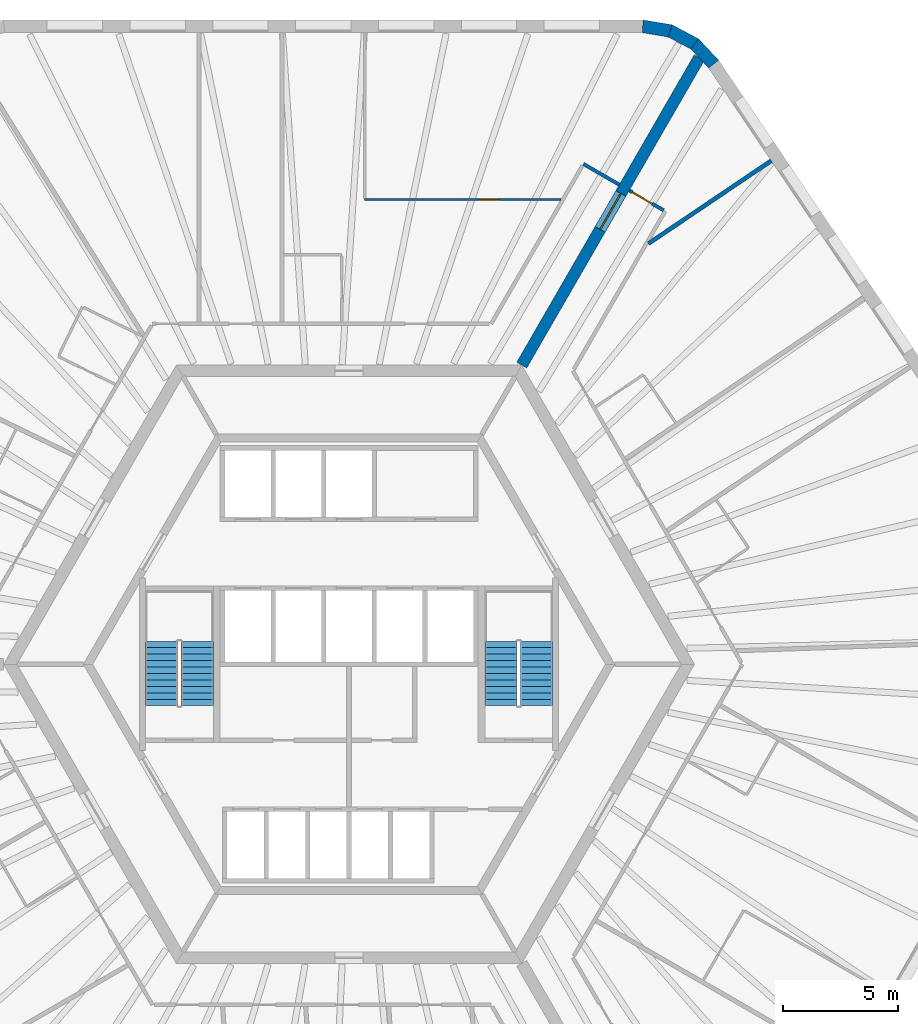
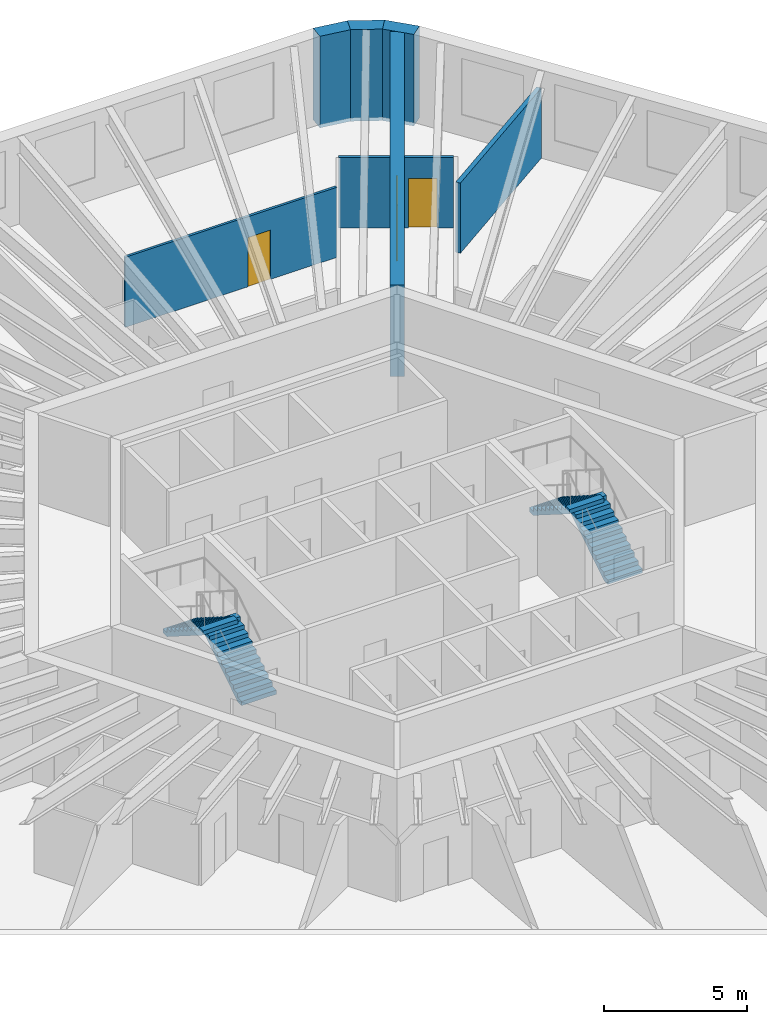
# One storey, part 9 of 10: 8 walls, 4 stair flights, 3 doors, 3 openings, 2 elements without a shape of their own.
"""IFC4 building model written with IfcOpenShell, lengths in metres."""

import ifcopenshell
import ifcopenshell.guid

model = None  # the IFC model being written
_history = None  # IfcOwnerHistory: only IFC2X3 demands one
_inside = {}  # id of a spatial element -> (the spatial element, [elements in it])
_under = {}  # id of a project, library or spatial element -> (it, [spatial elements below it])
_declared = {}  # id of a project -> (the project, [libraries it declares])
_typed = {}  # id of a type object -> (the type object, [elements of that type])
_made_of = {}  # id of a material, layer set ... -> (it, [elements and type objects made of it])


def new_model(schema):
    """Start an empty IFC model of exactly this schema.

    Asked for "IFC4X3", IfcOpenShell would pick the latest addendum, in which some entities
    have other attributes; the version numbers below select the first issue.
    IFC2X3 requires an IfcOwnerHistory on every rooted entity: one is made here for all.
    """
    global model, _history
    if schema == "IFC4X3":
        model = ifcopenshell.file(schema_version=(4, 3, 0, 0))
    else:
        model = ifcopenshell.file(schema=schema)
    _inside.clear()
    _under.clear()
    _declared.clear()
    _typed.clear()
    _made_of.clear()
    _history = None
    if model.schema == "IFC2X3":
        org = make("IfcOrganization", Name="unknown")
        user = make(
            "IfcPersonAndOrganization",
            ThePerson=make("IfcPerson", FamilyName="unknown"),
            TheOrganization=org,
        )
        app = make(
            "IfcApplication",
            ApplicationDeveloper=org,
            Version="unknown",
            ApplicationFullName="unknown",
            ApplicationIdentifier="unknown",
        )
        _history = make(
            "IfcOwnerHistory",
            OwningUser=user,
            OwningApplication=app,
            ChangeAction="ADDED",
            CreationDate=0,
        )
    return model


def make(cls, **values):
    """One entity of the class cls with the attributes given. An attribute that is None is left unset."""
    return model.create_entity(
        cls, **{name: value for name, value in values.items() if value is not None}
    )


def rooted(cls, **values):
    """An entity with a GlobalId (a new one), such as an element, a storey or a relation."""
    return make(cls, GlobalId=ifcopenshell.guid.new(), OwnerHistory=_history, **values)


def si_unit(unit_type, name, prefix=None):
    """IfcSIUnit, for example si_unit("LENGTHUNIT", "METRE", prefix="MILLI")."""
    return make("IfcSIUnit", UnitType=unit_type, Prefix=prefix, Name=name)


def assignment(units):
    """IfcUnitAssignment: the units of a project."""
    return None if units is None else make("IfcUnitAssignment", Units=units)


def point(xyz):
    """IfcCartesianPoint."""
    return None if xyz is None else make("IfcCartesianPoint", Coordinates=xyz)


def direction(xyz):
    """IfcDirection."""
    return None if xyz is None else make("IfcDirection", DirectionRatios=xyz)


def frame(location, z_axis=None, x_axis=None):
    """IfcAxis2Placement3D, a coordinate frame: its origin and axes. An axis left out is left unset."""
    return make(
        "IfcAxis2Placement3D",
        Location=point(location),
        Axis=direction(z_axis),
        RefDirection=direction(x_axis),
    )


def frame_2d(location, x_axis=None):
    """IfcAxis2Placement2D, a coordinate frame in the plane: its origin and x axis."""
    return make(
        "IfcAxis2Placement2D", Location=point(location), RefDirection=direction(x_axis)
    )


def origin():
    """The frame at (0, 0, 0) with its axes left unset."""
    return frame((0.0, 0.0, 0.0))


def place(relative_to, where):
    """IfcLocalPlacement: puts the frame where relative to a parent placement (None: the world)."""
    return make(
        "IfcLocalPlacement", PlacementRelTo=relative_to, RelativePlacement=where
    )


def context(
    kind, dimensions, precision=None, world=None, true_north=None, identifier=None
):
    """IfcGeometricRepresentationContext, for example the 3D "Model" context."""
    return make(
        "IfcGeometricRepresentationContext",
        ContextIdentifier=identifier,
        ContextType=kind,
        CoordinateSpaceDimension=dimensions,
        Precision=precision,
        WorldCoordinateSystem=world,
        TrueNorth=true_north,
    )


def subcontext(parent, identifier, kind, view, scale=None):
    """IfcGeometricRepresentationSubContext, for example "Body" below "Model"."""
    return make(
        "IfcGeometricRepresentationSubContext",
        ContextIdentifier=identifier,
        ContextType=kind,
        ParentContext=parent,
        TargetScale=scale,
        TargetView=view,
    )


def project(units=None, contexts=None):
    """IfcProject with its units and contexts."""
    return rooted(
        "IfcProject",
        Name="project",
        RepresentationContexts=contexts,
        UnitsInContext=assignment(units),
    )


def spatial(cls, under=None, at=None, **own):
    """A site, building, storey or space (cls), placed at a placement, below another one or the project."""
    s = rooted(cls, ObjectPlacement=at, **own)
    if under is not None:
        _under.setdefault(under.id(), (under, []))[1].append(s)
    return s


def polyline(points):
    """IfcPolyline through the points."""
    return make("IfcPolyline", Points=[point(p) for p in points])


def profile(cls, at=None, kind="AREA", **sizes):
    """A parametric profile (cls). Its sizes go by their IFC names, for example OverallWidth=200.0."""
    return make(cls, ProfileType=kind, Position=at, **sizes)


def rectangle(**sizes):
    """IfcRectangleProfileDef."""
    return profile("IfcRectangleProfileDef", **sizes)


def outline(outer, holes=None, kind="AREA"):
    """IfcArbitraryClosedProfileDef: a profile drawn as a closed curve; with holes, ...WithVoids."""
    if holes is None:
        return make("IfcArbitraryClosedProfileDef", ProfileType=kind, OuterCurve=outer)
    return make(
        "IfcArbitraryProfileDefWithVoids",
        ProfileType=kind,
        OuterCurve=outer,
        InnerCurves=holes,
    )


def extrude(swept, where, along, depth):
    """IfcExtrudedAreaSolid: the profile swept, set in the frame where, extruded along a direction by depth."""
    return make(
        "IfcExtrudedAreaSolid",
        SweptArea=swept,
        Position=where,
        ExtrudedDirection=direction(along),
        Depth=depth,
    )


def shape(context_of_items, identifier, shape_type, items):
    """IfcShapeRepresentation: the items that make up one representation, for example the "Body"."""
    return make(
        "IfcShapeRepresentation",
        ContextOfItems=context_of_items,
        RepresentationIdentifier=identifier,
        RepresentationType=shape_type,
        Items=items,
    )


def material(Name=None, Category=None):
    """IfcMaterial."""
    return make("IfcMaterial", Name=Name, Category=Category)


def layer(
    of_material, thickness, ventilated=None, Name=None, Category=None, Priority=None
):
    """IfcMaterialLayer: one layer of a wall or slab, of a material (None: an air gap)."""
    return make(
        "IfcMaterialLayer",
        Material=of_material,
        LayerThickness=thickness,
        IsVentilated=ventilated,
        Name=Name,
        Category=Category,
        Priority=Priority,
    )


def layer_set(layers, Name=None):
    """IfcMaterialLayerSet."""
    return make("IfcMaterialLayerSet", MaterialLayers=layers, LayerSetName=Name)


def made_of(thing, what):
    """Note that an element or type object is made of a material, layer set ...; save() writes the relation."""
    if what is not None:
        _made_of.setdefault(what.id(), (what, []))[1].append(thing)
    return thing


def type_object(cls, material=None, **own):
    """A type object (cls), such as IfcWallType, which elements share."""
    return made_of(rooted(cls, **own), material)


def element(
    cls,
    number,
    at=None,
    inside=None,
    cuts=None,
    type_object=None,
    material=None,
    context=None,
    identifier="Body",
    shape_type=None,
    held_by="IfcProductDefinitionShape",
    body=None,
    shapes=None,
    **own,
):
    """One element of the class cls, such as IfcWall. Its Tag is "e" and its number.

    at: its placement. inside: the storey or other place that contains it. cuts: it is an
    opening in that element (IfcRelVoidsElement). A single representation is given by context,
    identifier, shape_type and body (its items); several are given by shapes. held_by: the class
    of the entity that holds the representations. save() writes the other relations.
    """
    e = rooted(cls, Tag="e%d" % number, ObjectPlacement=at, **own)
    if body is not None:
        shapes = [shape(context, identifier, shape_type, body)]
    if shapes is not None:
        e.Representation = make(held_by, Representations=shapes)
    if inside is not None:
        _inside.setdefault(inside.id(), (inside, []))[1].append(e)
    if cuts is not None:
        rooted(
            "IfcRelVoidsElement", RelatingBuildingElement=cuts, RelatedOpeningElement=e
        )
    if type_object is not None:
        _typed.setdefault(type_object.id(), (type_object, []))[1].append(e)
    return made_of(e, material)


def fill(opening, filler):
    """IfcRelFillsElement: the door or window that sits in an opening."""
    return rooted(
        "IfcRelFillsElement",
        RelatingOpeningElement=opening,
        RelatedBuildingElement=filler,
    )


def aggregate(whole, parts):
    """IfcRelAggregates: a whole, such as a stair, and the parts it consists of."""
    return rooted("IfcRelAggregates", RelatingObject=whole, RelatedObjects=parts)


def save(model, path):
    """Write the relations noted so far, then the file.

    IfcRelAggregates (storeys below a building ...), IfcRelContainedInSpatialStructure (elements
    in a storey), IfcRelDefinesByType, IfcRelAssociatesMaterial and IfcRelDeclares: one each for
    every whole, place, type object, material and project.
    """
    for whole, parts in _under.values():
        aggregate(whole, parts)
    for where, things in _inside.values():
        rooted(
            "IfcRelContainedInSpatialStructure",
            RelatedElements=things,
            RelatingStructure=where,
        )
    for kind, things in _typed.values():
        rooted("IfcRelDefinesByType", RelatedObjects=things, RelatingType=kind)
    for what, things in _made_of.values():
        rooted("IfcRelAssociatesMaterial", RelatedObjects=things, RelatingMaterial=what)
    for by, libraries in _declared.values():
        rooted("IfcRelDeclares", RelatingContext=by, RelatedDefinitions=libraries)
    model.write(path)


model = new_model("IFC4")

# Units and contexts
model_context = context("Model", 3, precision=1e-05, world=origin(), true_north=direction((0.0, 1.0)))
body_context = subcontext(model_context, "Body", "Model", "MODEL_VIEW")
ifc_project = project(units=[si_unit("LENGTHUNIT", "METRE"), si_unit("AREAUNIT", "SQUARE_METRE"), si_unit("VOLUMEUNIT", "CUBIC_METRE"), si_unit("PLANEANGLEUNIT", "RADIAN"), si_unit("MASSUNIT", "GRAM", prefix="KILO")], contexts=[model_context])

# Site, building, storey
site_placement = place(None, origin())
site = spatial("IfcSite", under=ifc_project, at=site_placement, CompositionType="ELEMENT")
building_placement = place(site_placement, origin())
building = spatial("IfcBuilding", under=site, at=building_placement, Name="Tarnside Tower", CompositionType="ELEMENT")
storey_placement = place(building_placement, frame((0.0, 0.0, 234.60009765625)))
storey = spatial("IfcBuildingStorey", under=building, at=storey_placement, Name="L56", CompositionType="ELEMENT", Elevation=234.60009765625)

# Wall, opening, door
ifc_material_1 = material(Name="Concrete C70/85", Category="concrete")
ifc_layer_1 = layer(ifc_material_1, 0.5)
ifc_layer_set_1 = layer_set([ifc_layer_1], Name="Core wall Z2 500 C70/85")
wall_type_1 = type_object("IfcWallType", Name="Core wall Z2 500 C70/85", PredefinedType="SHEAR", material=ifc_layer_set_1)
wall_1_placement = place(storey_placement, frame((7.505615234375, 13.0, -0.150146484375), z_axis=(0.0, 0.0, 1.0), x_axis=(0.499988271576, 0.866032175087, 0.0)))
wall_1 = element("IfcWall", 1, at=wall_1_placement, inside=storey, type_object=wall_type_1, Name="L56 spine wall 1", PredefinedType="SHEAR", context=body_context, shape_type="SweptSolid", body=[
    extrude(rectangle(XDim=15.423583984375, YDim=0.5, at=frame_2d((7.7119140625, 0.0))), origin(), (0.0, 0.0, 1.0), 3.900146484375),
])
opening_1_placement = place(wall_1_placement, frame((6.811767578125, 0.0, 0.14990234375)))
opening_1 = element("IfcOpeningElement", 2, at=opening_1_placement, cuts=wall_1, Name="Opening CD-SPN", PredefinedType="OPENING", context=body_context, shape_type="SweptSolid", body=[
    extrude(rectangle(XDim=1.800048828125, YDim=2.39990234375, at=frame_2d((0.89990234375, 1.199951171875))), frame((0.0, 0.260009765625, 0.0), z_axis=(0.0, -1.0, 0.0), x_axis=(1.0, 0.0, 0.0)), (0.0, 0.0, 1.0), 0.52001953125),
])
ifc_material_2 = material(Name="Steel fire door", Category="steel")
door_type_1 = type_object("IfcDoorType", Name="Spine passage double door FD60 1800x2400", OperationType="NOTDEFINED", PredefinedType="DOOR", material=ifc_material_2)
door_1_placement = place(opening_1_placement, origin())
door_1 = element("IfcDoor", 3, at=door_1_placement, inside=storey, type_object=door_type_1, Name="L56 spine passage door 1", OperationType="DOUBLE_DOOR_SINGLE_SWING", OverallHeight=2.39990234375, OverallWidth=1.800048828125, PredefinedType="DOOR", context=body_context, shape_type="SweptSolid", body=[
    extrude(rectangle(XDim=1.800048828125, YDim=2.39990234375, at=frame_2d((0.89990234375, 1.199951171875))), frame((0.0, 0.02490234375, 0.0), z_axis=(0.0, -1.0, 0.0), x_axis=(1.0, 0.0, 0.0)), (0.0, 0.0, 1.0), 0.050048828125),
])
fill(opening_1, door_1)

# Wall
ifc_material_3 = material(Name="Gypsum board partition on steel studs", Category="steel")
ifc_layer_2 = layer(ifc_material_3, 0.14990234375)
ifc_layer_set_2 = layer_set([ifc_layer_2], Name="Corridor wall 150 EI 60")
wall_type_2 = type_object("IfcWallType", Name="Corridor wall 150 EI 60", PredefinedType="PARTITIONING", material=ifc_layer_set_2)
wall_2_placement = place(storey_placement, frame((11.744873046875, 20.8427734375, 0.0), z_axis=(0.0, 0.0, 1.0), x_axis=(-0.865989075817, 0.500062916607, 0.0)))
element("IfcWall", 4, at=wall_2_placement, inside=storey, type_object=wall_type_2, Name="Corridor wall 18004", PredefinedType="PARTITIONING", context=body_context, shape_type="SweptSolid", body=[
    extrude(rectangle(XDim=1.800048828125, YDim=0.14990234375, at=frame_2d((0.89990234375, 0.0))), origin(), (0.0, 0.0, 1.0), 2.98779296875),
])

# Wall, opening, door
wall_3_placement = place(storey_placement, frame((13.671875, 19.73046875, 0.0), z_axis=(0.0, 0.0, 1.0), x_axis=(-0.866074815912, 0.499914405916, 0.0)))
wall_3 = element("IfcWall", 5, at=wall_3_placement, inside=storey, type_object=wall_type_2, Name="Corridor wall 18050", PredefinedType="PARTITIONING", context=body_context, shape_type="SweptSolid", body=[
    extrude(rectangle(XDim=1.724853515625, YDim=0.14990234375, at=frame_2d((0.8623046875, 0.0))), origin(), (0.0, 0.0, 1.0), 2.98779296875),
])
opening_2_placement = place(wall_3_placement, frame((0.574951171875, 0.0, 0.0)))
opening_2 = element("IfcOpeningElement", 6, at=opening_2_placement, cuts=wall_3, Name="Opening D-E1", PredefinedType="OPENING", context=body_context, shape_type="SweptSolid", body=[
    extrude(rectangle(XDim=1.0, YDim=2.10009765625, at=frame_2d((0.5, 1.050048828125))), frame((0.0, 0.0849609375, 0.0), z_axis=(0.0, -1.0, 0.0), x_axis=(1.0, 0.0, 0.0)), (0.0, 0.0, 1.0), 0.169921875),
])
ifc_material_4 = material(Name="Timber door leaf", Category="wood")
door_type_2 = type_object("IfcDoorType", Name="Unit entrance door 1000 FD30S", OperationType="NOTDEFINED", PredefinedType="DOOR", material=ifc_material_4)
door_2_placement = place(opening_2_placement, origin())
door_2 = element("IfcDoor", 7, at=door_2_placement, inside=storey, type_object=door_type_2, Name="Unit door 18035", OperationType="SINGLE_SWING_LEFT", OverallHeight=2.10009765625, OverallWidth=1.0, PredefinedType="DOOR", context=body_context, shape_type="SweptSolid", body=[
    extrude(rectangle(XDim=1.0, YDim=2.10009765625, at=frame_2d((0.5, 1.050048828125))), frame((0.0, 0.02490234375, 0.0), z_axis=(0.0, -1.0, 0.0), x_axis=(1.0, 0.0, 0.0)), (0.0, 0.0, 1.0), 0.050048828125),
])
fill(opening_2, door_2)

# Wall
ifc_layer_3 = layer(ifc_material_3, 0.179931640625)
ifc_layer_set_3 = layer_set([ifc_layer_3], Name="Demising wall 180 EI 60")
wall_type_3 = type_object("IfcWallType", Name="Demising wall 180 EI 60", PredefinedType="PARTITIONING", material=ifc_layer_set_3)
wall_4_placement = place(storey_placement, frame((18.349609375, 21.88427734375, 0.0), z_axis=(0.0, 0.0, 1.0), x_axis=(-0.829047205772, -0.559178621374, 0.0)))
element("IfcWall", 8, at=wall_4_placement, inside=storey, type_object=wall_type_3, Name="Demising wall 18107", PredefinedType="PARTITIONING", context=body_context, shape_type="SweptSolid", body=[
    extrude(rectangle(XDim=6.442138671875, YDim=0.179931640625, at=frame_2d((3.22119140625, 0.0))), origin(), (0.0, 0.0, 1.0), 2.98779296875),
])

# Wall, opening, door
ifc_layer_4 = layer(ifc_material_3, 0.10009765625)
ifc_layer_set_4 = layer_set([ifc_layer_4], Name="Partition 100")
wall_type_4 = type_object("IfcWallType", Name="Partition 100", PredefinedType="PARTITIONING", material=ifc_layer_set_4)
wall_5_placement = place(storey_placement, frame((9.208740234375, 20.199951171875, 0.0), z_axis=(0.0, 0.0, 1.0), x_axis=(-1.0, 0.0, 0.0)))
wall_5 = element("IfcWall", 9, at=wall_5_placement, inside=storey, type_object=wall_type_4, Name="Partition wall 18053", PredefinedType="PARTITIONING", context=body_context, shape_type="SweptSolid", body=[
    extrude(rectangle(XDim=8.526611328125, YDim=0.10009765625, at=frame_2d((4.26318359375, 0.0))), origin(), (0.0, 0.0, 1.0), 2.98779296875),
])
opening_3_placement = place(wall_5_placement, frame((2.676513671875, 0.0, 0.0)))
opening_3 = element("IfcOpeningElement", 10, at=opening_3_placement, cuts=wall_5, Name="Opening D-I1", PredefinedType="OPENING", context=body_context, shape_type="SweptSolid", body=[
    extrude(rectangle(XDim=0.89990234375, YDim=2.10009765625, at=frame_2d((0.449951171875, 1.050048828125))), frame((0.0, 0.06005859375, 0.0), z_axis=(0.0, -1.0, 0.0), x_axis=(1.0, 0.0, 0.0)), (0.0, 0.0, 1.0), 0.1201171875),
])
door_type_3 = type_object("IfcDoorType", Name="Internal door 900", OperationType="NOTDEFINED", PredefinedType="DOOR", material=ifc_material_4)
door_3_placement = place(opening_3_placement, origin())
door_3 = element("IfcDoor", 11, at=door_3_placement, inside=storey, type_object=door_type_3, Name="Internal door 18003", OperationType="SINGLE_SWING_RIGHT", OverallHeight=2.10009765625, OverallWidth=0.89990234375, PredefinedType="DOOR", context=body_context, shape_type="SweptSolid", body=[
    extrude(rectangle(XDim=0.89990234375, YDim=2.10009765625, at=frame_2d((0.449951171875, 1.050048828125))), frame((0.0, 0.02490234375, 0.0), z_axis=(0.0, -1.0, 0.0), x_axis=(1.0, 0.0, 0.0)), (0.0, 0.0, 1.0), 0.050048828125),
])
fill(opening_3, door_3)

# Walls
ifc_material_5 = material(Name="Facing brick", Category="masonry")
ifc_layer_5 = layer(ifc_material_5, 0.10205078125)
ifc_material_6 = material(Name="Concrete C60/75 precast", Category="concrete")
ifc_layer_6 = layer(ifc_material_6, 0.347900390625)
ifc_material_7 = material(Name="Mineral wool insulation")
ifc_layer_7 = layer(ifc_material_7, 0.10009765625)
ifc_layer_set_5 = layer_set([ifc_layer_5, ifc_layer_6, ifc_layer_7], Name="Tube wall 550 brick faced")
wall_type_5 = type_object("IfcWallType", Name="Tube wall 550 brick faced", PredefinedType="SOLIDWALL", material=ifc_layer_set_5)
wall_6_placement = place(storey_placement, frame((15.84912109375, 26.0830078125, -0.150146484375), z_axis=(0.0, 0.0, 1.0), x_axis=(-0.686196220404, 0.727416488061, 0.0)))
element("IfcWall", 12, at=wall_6_placement, inside=storey, type_object=wall_type_5, Name="Tube wall L56 F6 chord 21", PredefinedType="SOLIDWALL", context=body_context, shape_type="SweptSolid", body=[
    extrude(outline(polyline([(-0.0224609375, -0.27490234375), (1.25341796875, -0.27490234375), (1.1630859375, 0.27490234375), (0.0224609375, 0.27490234375), (-0.0224609375, -0.27490234375)])), origin(), (0.0, 0.0, 1.0), 3.900146484375),
])
wall_7_placement = place(storey_placement, frame((15.02001953125, 26.9619140625, -0.150146484375), z_axis=(0.0, 0.0, 1.0), x_axis=(-0.882950818639, 0.469465495926, 0.0)))
element("IfcWall", 13, at=wall_7_placement, inside=storey, type_object=wall_type_5, Name="Tube wall L56 F6 chord 22", PredefinedType="SOLIDWALL", context=body_context, shape_type="SweptSolid", body=[
    extrude(outline(polyline([(-0.045166015625, -0.27490234375), (1.253173828125, -0.27490234375), (1.162841796875, 0.27490234375), (0.045166015625, 0.27490234375), (-0.045166015625, -0.27490234375)])), origin(), (0.0, 0.0, 1.0), 3.900146484375),
])
wall_8_placement = place(storey_placement, frame((13.953369140625, 27.529052734375, -0.150146484375), z_axis=(0.0, 0.0, 1.0), x_axis=(-0.986751945211, 0.162236243244, 0.0)))
element("IfcWall", 14, at=wall_8_placement, inside=storey, type_object=wall_type_5, Name="Tube wall L56 F6 chord 23", PredefinedType="SOLIDWALL", context=body_context, shape_type="SweptSolid", body=[
    extrude(outline(polyline([(-0.045166015625, -0.27490234375), (1.23095703125, -0.27490234375), (1.18603515625, 0.27490234375), (0.045166015625, 0.27490234375), (-0.045166015625, -0.27490234375)])), origin(), (0.0, 0.0, 1.0), 3.900146484375),
])

# Stair, stair flights
ifc_material_8 = material(Name="Concrete C40/50", Category="concrete")
stair_type = type_object("IfcStairType", Name="Exit stair 1400 clear", PredefinedType="HALF_TURN_STAIR", material=ifc_material_8)
stair_1_placement = place(storey_placement, origin())
stair_1 = element("IfcStair", 15, at=stair_1_placement, inside=storey, type_object=stair_type, Name="L56 Exit stair 1", PredefinedType="HALF_TURN_STAIR")
stair_flight_type = type_object("IfcStairFlightType", Name="Exit stair flight 1400", PredefinedType="STRAIGHT", material=ifc_material_8)
stair_flight_1_placement = place(storey_placement, frame((8.14990234375, -1.800048828125, 0.0), z_axis=(0.0, 0.0, 1.0), x_axis=(0.0, 1.0, 0.0)))
stair_flight_1 = element("IfcStairFlight", 16, at=stair_flight_1_placement, type_object=stair_flight_type, Name="ST1 flight 1", NumberOfRisers=11, NumberOfTreads=10, PredefinedType="STRAIGHT", RiserHeight=0.177272727, TreadLength=0.28, context=body_context, shape_type="SweptSolid", body=[
    extrude(outline(polyline([(0.0, 0.0), (0.0, 0.17724609375), (0.280029296875, 0.17724609375), (0.280029296875, 0.3544921875), (0.56005859375, 0.3544921875), (0.56005859375, 0.53173828125), (0.840087890625, 0.53173828125), (0.840087890625, 0.708984375), (1.1201171875, 0.708984375), (1.1201171875, 0.886474609375), (1.39990234375, 0.886474609375), (1.39990234375, 1.063720703125), (1.679931640625, 1.063720703125), (1.679931640625, 1.240966796875), (1.9599609375, 1.240966796875), (1.9599609375, 1.418212890625), (2.239990234375, 1.418212890625), (2.239990234375, 1.595458984375), (2.52001953125, 1.595458984375), (2.52001953125, 1.772705078125), (2.800048828125, 1.772705078125), (2.800048828125, 1.949951171875), (2.800048828125, 1.59521484375), (0.2802734375, 0.0), (0.0, 0.0)])), frame((0.0, 0.699951171875, 0.0), z_axis=(0.0, -1.0, 0.0), x_axis=(1.0, 0.0, 0.0)), (0.0, 0.0, 1.0), 1.39990234375),
])
stair_flight_2_placement = place(storey_placement, frame((6.60009765625, 1.0, 1.949951171875), z_axis=(0.0, 0.0, 1.0), x_axis=(0.0, -1.0, 0.0)))
stair_flight_2 = element("IfcStairFlight", 17, at=stair_flight_2_placement, type_object=stair_flight_type, Name="ST1 flight 2", NumberOfRisers=11, NumberOfTreads=10, PredefinedType="STRAIGHT", RiserHeight=0.177272727, TreadLength=0.28, context=body_context, shape_type="SweptSolid", body=[
    extrude(outline(polyline([(0.0, 0.0), (0.0, 0.17724609375), (0.280029296875, 0.17724609375), (0.280029296875, 0.3544921875), (0.56005859375, 0.3544921875), (0.56005859375, 0.53173828125), (0.840087890625, 0.53173828125), (0.840087890625, 0.708984375), (1.1201171875, 0.708984375), (1.1201171875, 0.886474609375), (1.39990234375, 0.886474609375), (1.39990234375, 1.063720703125), (1.679931640625, 1.063720703125), (1.679931640625, 1.240966796875), (1.9599609375, 1.240966796875), (1.9599609375, 1.418212890625), (2.239990234375, 1.418212890625), (2.239990234375, 1.595458984375), (2.52001953125, 1.595458984375), (2.52001953125, 1.772705078125), (2.800048828125, 1.772705078125), (2.800048828125, 1.949951171875), (2.800048828125, 1.59521484375), (0.2802734375, 0.0), (0.0, 0.0)])), frame((0.0, 0.699951171875, 0.0), z_axis=(0.0, -1.0, 0.0), x_axis=(1.0, 0.0, 0.0)), (0.0, 0.0, 1.0), 1.39990234375),
])
aggregate(stair_1, [stair_flight_1, stair_flight_2])

stair_2_placement = place(storey_placement, origin())
stair_2 = element("IfcStair", 18, at=stair_2_placement, inside=storey, type_object=stair_type, Name="L56 Exit stair 2", PredefinedType="HALF_TURN_STAIR")
stair_flight_3_placement = place(storey_placement, frame((-6.60009765625, -1.800048828125, 0.0), z_axis=(0.0, 0.0, 1.0), x_axis=(0.0, 1.0, 0.0)))
stair_flight_3 = element("IfcStairFlight", 19, at=stair_flight_3_placement, type_object=stair_flight_type, Name="ST2 flight 1", NumberOfRisers=11, NumberOfTreads=10, PredefinedType="STRAIGHT", RiserHeight=0.177272727, TreadLength=0.28, context=body_context, shape_type="SweptSolid", body=[
    extrude(outline(polyline([(0.0, 0.0), (0.0, 0.17724609375), (0.280029296875, 0.17724609375), (0.280029296875, 0.3544921875), (0.56005859375, 0.3544921875), (0.56005859375, 0.53173828125), (0.840087890625, 0.53173828125), (0.840087890625, 0.708984375), (1.1201171875, 0.708984375), (1.1201171875, 0.886474609375), (1.39990234375, 0.886474609375), (1.39990234375, 1.063720703125), (1.679931640625, 1.063720703125), (1.679931640625, 1.240966796875), (1.9599609375, 1.240966796875), (1.9599609375, 1.418212890625), (2.239990234375, 1.418212890625), (2.239990234375, 1.595458984375), (2.52001953125, 1.595458984375), (2.52001953125, 1.772705078125), (2.800048828125, 1.772705078125), (2.800048828125, 1.949951171875), (2.800048828125, 1.59521484375), (0.2802734375, 0.0), (0.0, 0.0)])), frame((0.0, 0.699951171875, 0.0), z_axis=(0.0, -1.0, 0.0), x_axis=(1.0, 0.0, 0.0)), (0.0, 0.0, 1.0), 1.39990234375),
])
stair_flight_4_placement = place(storey_placement, frame((-8.14990234375, 1.0, 1.949951171875), z_axis=(0.0, 0.0, 1.0), x_axis=(0.0, -1.0, 0.0)))
stair_flight_4 = element("IfcStairFlight", 20, at=stair_flight_4_placement, type_object=stair_flight_type, Name="ST2 flight 2", NumberOfRisers=11, NumberOfTreads=10, PredefinedType="STRAIGHT", RiserHeight=0.177272727, TreadLength=0.28, context=body_context, shape_type="SweptSolid", body=[
    extrude(outline(polyline([(0.0, 0.0), (0.0, 0.17724609375), (0.280029296875, 0.17724609375), (0.280029296875, 0.3544921875), (0.56005859375, 0.3544921875), (0.56005859375, 0.53173828125), (0.840087890625, 0.53173828125), (0.840087890625, 0.708984375), (1.1201171875, 0.708984375), (1.1201171875, 0.886474609375), (1.39990234375, 0.886474609375), (1.39990234375, 1.063720703125), (1.679931640625, 1.063720703125), (1.679931640625, 1.240966796875), (1.9599609375, 1.240966796875), (1.9599609375, 1.418212890625), (2.239990234375, 1.418212890625), (2.239990234375, 1.595458984375), (2.52001953125, 1.595458984375), (2.52001953125, 1.772705078125), (2.800048828125, 1.772705078125), (2.800048828125, 1.949951171875), (2.800048828125, 1.59521484375), (0.2802734375, 0.0), (0.0, 0.0)])), frame((0.0, 0.699951171875, 0.0), z_axis=(0.0, -1.0, 0.0), x_axis=(1.0, 0.0, 0.0)), (0.0, 0.0, 1.0), 1.39990234375),
])
aggregate(stair_2, [stair_flight_3, stair_flight_4])

save(model, "model.ifc")
